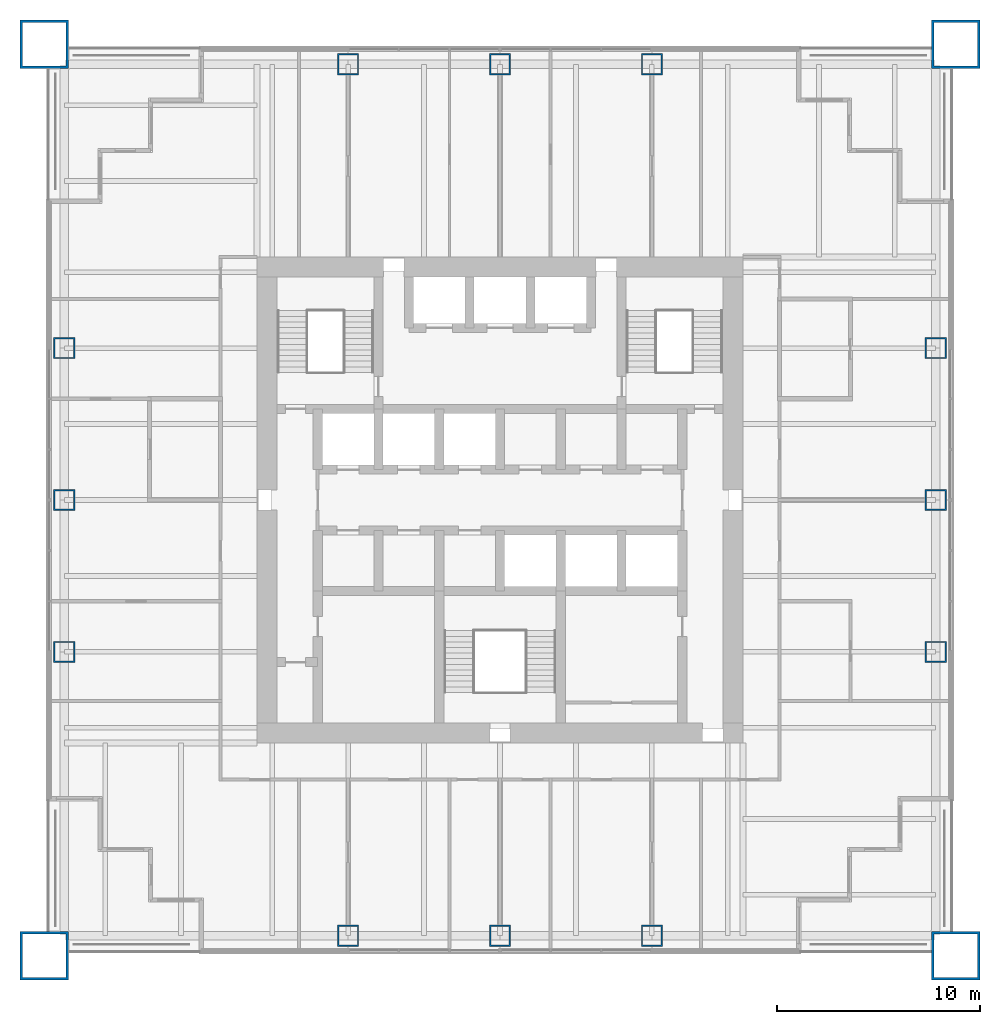
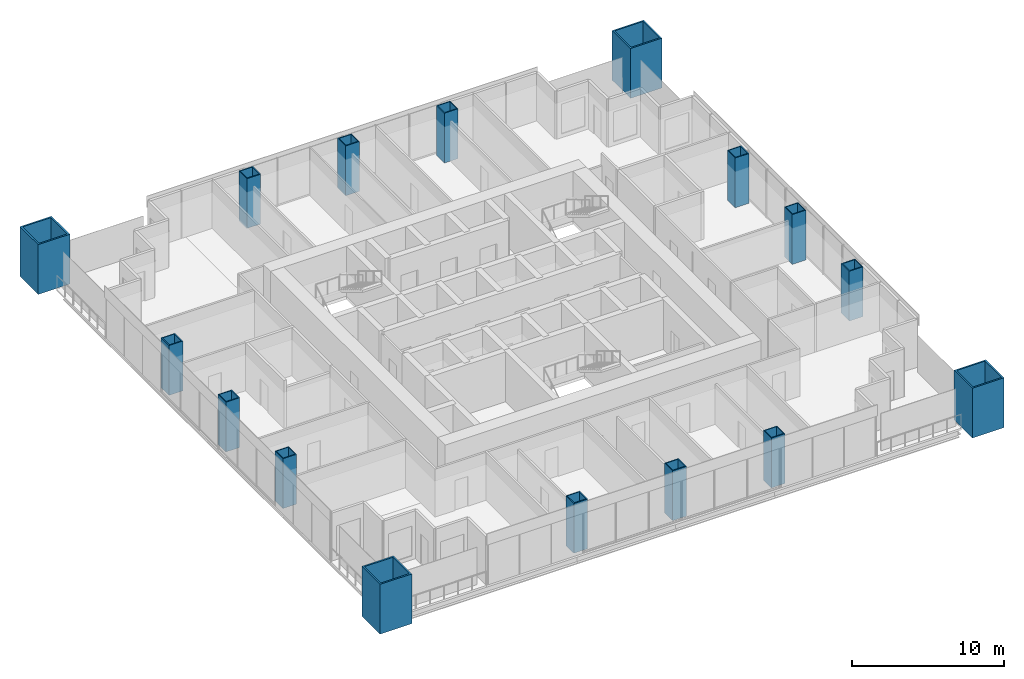
# One storey, part 1 of 13: 16 columns.
"""IFC4 building model written with IfcOpenShell, lengths in metres."""

from ifc_helpers import new_model, si_unit, direction, frame, origin, origin_2d, place, context, subcontext, project, spatial, hollow_rectangle, extrude, material, material_profile, profile_set, type_object, element, save


model = new_model("IFC4")

# Units and contexts
model_context = context("Model", 3, precision=1e-05, world=origin(), true_north=direction((0.0, 1.0)))
body_context = subcontext(model_context, "Body", "Model", "MODEL_VIEW")
ifc_project = project(units=[si_unit("LENGTHUNIT", "METRE"), si_unit("AREAUNIT", "SQUARE_METRE"), si_unit("VOLUMEUNIT", "CUBIC_METRE"), si_unit("PLANEANGLEUNIT", "RADIAN"), si_unit("MASSUNIT", "GRAM", prefix="KILO")], contexts=[model_context])

# Site, building, storey
site_placement = place(None, origin())
site = spatial("IfcSite", under=ifc_project, at=site_placement, CompositionType="ELEMENT")
building_placement = place(site_placement, origin())
building = spatial("IfcBuilding", under=site, at=building_placement, Name="Tarangal Relay Tower", CompositionType="ELEMENT")
storey_placement = place(building_placement, frame((0.0, 0.0, 185.89990234375)))
storey = spatial("IfcBuildingStorey", under=building, at=storey_placement, Name="L38", CompositionType="ELEMENT", Elevation=185.89990234375)

# Columns
ifc_material_1 = material(Name="Steel ASTM A572 Grade 42", Category="steel")
ifc_material_profile_1 = material_profile(ifc_material_1, hollow_rectangle(XDim=2.39990234375, YDim=2.39990234375, WallThickness=0.1201171875, at=origin_2d()), Name="BOX2400X2400X120")
ifc_profile_set_1 = profile_set([ifc_material_profile_1], Name="Steel ASTM A572 Grade 42")
column_type_1 = type_object("IfcColumnType", Name="Mega column BOX2400X2400X120", PredefinedType="COLUMN", material=ifc_profile_set_1)
for number, where, z_axis, x_axis, name in (
    (1, (22.5, 22.5, 0.0), (0.0, 0.0, 1.0), (1.0, 0.0, 0.0), "Mega column MC3 NE L38"),
    (2, (22.5, -22.5, 0.0), (0.0, 0.0, 1.0), (1.0, 0.0, 0.0), "Mega column MC3 SE L38"),
    (3, (-22.5, -22.5, 0.0), (0.0, 0.0, 1.0), (1.0, 0.0, 0.0), "Mega column MC3 SW L38"),
    (4, (-22.5, 22.5, 0.0), (0.0, 0.0, 1.0), (1.0, 0.0, 0.0), "Mega column MC3 NW L38"),
):
    element("IfcColumn", number, at=place(storey_placement, frame(where, z_axis=z_axis, x_axis=x_axis)), inside=storey, type_object=column_type_1, Name=name, PredefinedType="COLUMN", context=body_context, shape_type="SweptSolid", body=[
        extrude(hollow_rectangle(XDim=2.39990234375, YDim=2.39990234375, WallThickness=0.1201171875, at=origin_2d()), origin(), (0.0, 0.0, 1.0), 4.0),
    ])
ifc_material_2 = material(Name="Steel ASTM A572 Grade 50", Category="steel")
ifc_material_profile_2 = material_profile(ifc_material_2, hollow_rectangle(XDim=1.050048828125, YDim=1.050048828125, WallThickness=0.070068359375, at=origin_2d()), Name="BOX1050X1050X70")
ifc_profile_set_2 = profile_set([ifc_material_profile_2], Name="Steel ASTM A572 Grade 50")
column_type_2 = type_object("IfcColumnType", Name="Perimeter column BOX1050X1050X70", PredefinedType="COLUMN", material=ifc_profile_set_2)
for number, where, z_axis, x_axis, name in (
    (5, (-7.5, 21.514892578125, 0.0), (0.0, 0.0, 1.0), (1.0, 0.0, 0.0), "Perimeter column PC4 N L38"),
    (6, (0.0, 21.514892578125, 0.0), (0.0, 0.0, 1.0), (1.0, 0.0, 0.0), "Perimeter column PC4 N L38"),
    (7, (7.5, 21.514892578125, 0.0), (0.0, 0.0, 1.0), (1.0, 0.0, 0.0), "Perimeter column PC4 N L38"),
    (8, (21.514892578125, 7.5, 0.0), (0.0, 0.0, 1.0), (1.0, 0.0, 0.0), "Perimeter column PC4 E L38"),
    (9, (21.514892578125, 0.0, 0.0), (0.0, 0.0, 1.0), (1.0, 0.0, 0.0), "Perimeter column PC4 E L38"),
    (10, (21.514892578125, -7.5, 0.0), (0.0, 0.0, 1.0), (1.0, 0.0, 0.0), "Perimeter column PC4 E L38"),
    (11, (7.5, -21.514892578125, 0.0), (0.0, 0.0, 1.0), (1.0, 0.0, 0.0), "Perimeter column PC4 S L38"),
    (12, (0.0, -21.514892578125, 0.0), (0.0, 0.0, 1.0), (1.0, 0.0, 0.0), "Perimeter column PC4 S L38"),
    (13, (-7.5, -21.514892578125, 0.0), (0.0, 0.0, 1.0), (1.0, 0.0, 0.0), "Perimeter column PC4 S L38"),
    (14, (-21.514892578125, -7.5, 0.0), (0.0, 0.0, 1.0), (1.0, 0.0, 0.0), "Perimeter column PC4 W L38"),
    (15, (-21.514892578125, 0.0, 0.0), (0.0, 0.0, 1.0), (1.0, 0.0, 0.0), "Perimeter column PC4 W L38"),
    (16, (-21.514892578125, 7.5, 0.0), (0.0, 0.0, 1.0), (1.0, 0.0, 0.0), "Perimeter column PC4 W L38"),
):
    element("IfcColumn", number, at=place(storey_placement, frame(where, z_axis=z_axis, x_axis=x_axis)), inside=storey, type_object=column_type_2, Name=name, PredefinedType="COLUMN", context=body_context, shape_type="SweptSolid", body=[
        extrude(hollow_rectangle(XDim=1.050048828125, YDim=1.050048828125, WallThickness=0.070068359375, at=origin_2d()), origin(), (0.0, 0.0, 1.0), 4.0),
    ])

save(model, "model.ifc")
